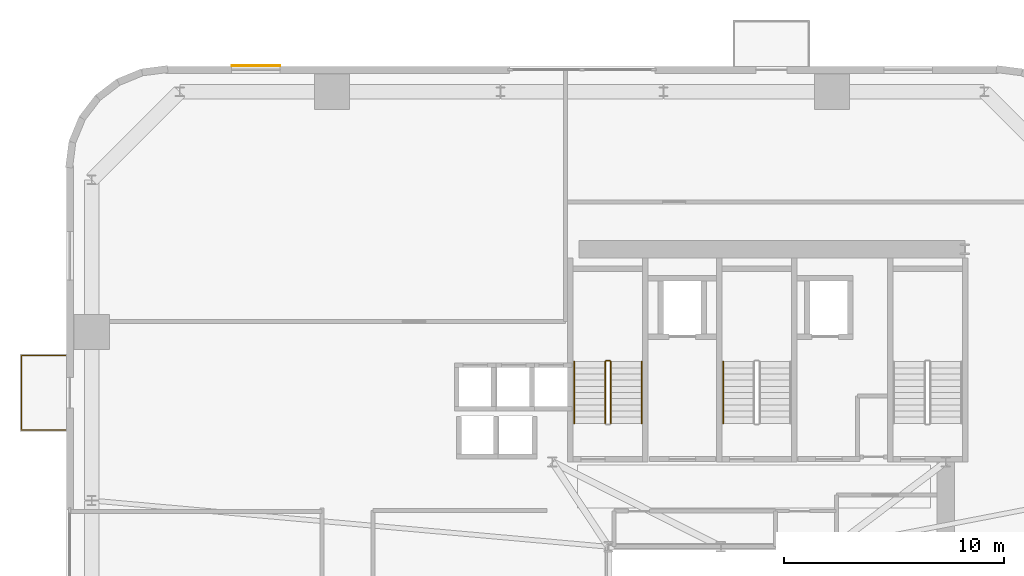
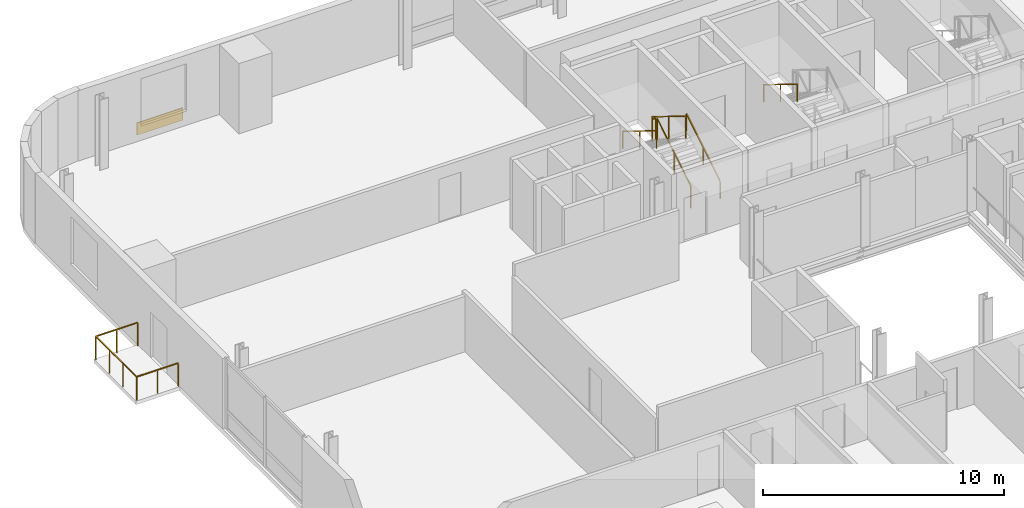
# One storey, part 13 of 14: 7 railings, 1 covering.
"""IFC4 building model written with IfcOpenShell, lengths in metres."""

from ifc_helpers import new_model, si_unit, direction, frame, origin, origin_2d, place, context, subcontext, project, spatial, rectangle, extrude, source, transform, mapped, material, layer, layer_set, type_object, element, save


model = new_model("IFC4")

# Units and contexts
model_context = context("Model", 3, precision=1e-05, world=origin(), true_north=direction((0.0, 1.0)))
body_context = subcontext(model_context, "Body", "Model", "MODEL_VIEW")
ifc_project = project(units=[si_unit("LENGTHUNIT", "METRE"), si_unit("AREAUNIT", "SQUARE_METRE"), si_unit("VOLUMEUNIT", "CUBIC_METRE"), si_unit("PLANEANGLEUNIT", "RADIAN"), si_unit("MASSUNIT", "GRAM", prefix="KILO")], contexts=[model_context])

# Site, building, storey
site_placement = place(None, origin())
site = spatial("IfcSite", under=ifc_project, at=site_placement, CompositionType="ELEMENT")
building_placement = place(site_placement, origin())
building = spatial("IfcBuilding", under=site, at=building_placement, Name="Vardaveli Station Tower", CompositionType="ELEMENT")
storey_placement = place(building_placement, frame((0.0, 0.0, 107.5)))
storey = spatial("IfcBuildingStorey", under=building, at=storey_placement, Name="L27", CompositionType="ELEMENT", Elevation=107.5)

# Covering
ifc_material_1 = material(Name="Ventilated honed travertine stone cladding", Category="masonry")
ifc_layer = layer(ifc_material_1, 0.044921875, Name="Ventilated honed travertine stone cladding")
ifc_layer_set = layer_set([ifc_layer], Name="Ventilated honed travertine stone cladding")
covering_type = type_object("IfcCoveringType", Name="COV-CLAD-TR45", PredefinedType="CLADDING", material=ifc_layer_set)
shared_shape_1 = source(origin(), body_context, "Body", "SweptSolid", [
    extrude(rectangle(XDim=2.199951171875, YDim=0.044921875, at=origin_2d()), origin(), (0.0, 0.0, 1.0), 0.6201171875),
])
covering_placement = place(storey_placement, frame((15.205078125, 48.614501953125, 0.06982421875), z_axis=(0.0, 0.0, 1.0), x_axis=(1.0, 0.0, 0.0)))
element("IfcCovering", 1, at=covering_placement, inside=storey, type_object=covering_type, Name="CLD-TR-L27-N", PredefinedType="CLADDING", context=body_context, shape_type="MappedRepresentation", body=[
    mapped(shared_shape_1, transform((0.0, 0.0, 0.0), scale=1.0)),
])

# Railings
ifc_material_2 = material(Name="Laminated glass and stainless steel balustrade", Category="steel")
railing_type_1 = type_object("IfcRailingType", Name="RL-BAL-1200", PredefinedType="BALUSTRADE", material=ifc_material_2)
shared_shape_2 = source(origin(), body_context, "Body", "SweptSolid", [
    extrude(rectangle(XDim=0.048095703125, YDim=0.048095703125, at=origin_2d()), frame((0.0, 0.0, 1.17578125), z_axis=(-1.0, 0.0, 0.0), x_axis=(0.0, -1.0, 0.0)), (0.0, 0.0, 1.0), 2.0),
    extrude(rectangle(XDim=0.048095703125, YDim=0.048095703125, at=origin_2d()), frame((-2.0, 0.0, 1.17578125), z_axis=(0.0, 1.0, 0.0), x_axis=(-1.0, 0.0, 0.0)), (0.0, 0.0, 1.0), 3.3798828125),
    extrude(rectangle(XDim=0.048095703125, YDim=0.048095703125, at=origin_2d()), frame((-2.0, 3.3798828125, 1.17578125), z_axis=(1.0, 0.0, 0.0), x_axis=(0.0, 1.0, 0.0)), (0.0, 0.0, 1.0), 2.0),
    extrude(rectangle(XDim=0.0419921875, YDim=0.0419921875, at=origin_2d()), origin(), (0.0, 0.0, 1.0), 1.15185546875),
    extrude(rectangle(XDim=0.0419921875, YDim=0.0419921875, at=origin_2d()), frame((-1.0, 0.0, 0.0)), (0.0, 0.0, 1.0), 1.15185546875),
    extrude(rectangle(XDim=0.0419921875, YDim=0.0419921875, at=origin_2d()), frame((-2.0, 0.0, 0.0)), (0.0, 0.0, 1.0), 1.15185546875),
    extrude(rectangle(XDim=0.0419921875, YDim=0.0419921875, at=origin_2d()), frame((-2.0, 1.126708984375, 0.0)), (0.0, 0.0, 1.0), 1.15185546875),
    extrude(rectangle(XDim=0.0419921875, YDim=0.0419921875, at=origin_2d()), frame((-2.0, 2.253173828125, 0.0)), (0.0, 0.0, 1.0), 1.15185546875),
    extrude(rectangle(XDim=0.0419921875, YDim=0.0419921875, at=origin_2d()), frame((-2.0, 3.3798828125, 0.0)), (0.0, 0.0, 1.0), 1.15185546875),
    extrude(rectangle(XDim=0.0419921875, YDim=0.0419921875, at=origin_2d()), frame((-1.0, 3.3798828125, 0.0)), (0.0, 0.0, 1.0), 1.15185546875),
    extrude(rectangle(XDim=0.0419921875, YDim=0.0419921875, at=origin_2d()), frame((0.0, 3.3798828125, 0.0)), (0.0, 0.0, 1.0), 1.15185546875),
])
railing_1_placement = place(storey_placement, frame((6.56005859375, 32.099609375, 0.0)))
element("IfcRailing", 2, at=railing_1_placement, inside=storey, type_object=railing_type_1, Name="RL-LOG-L27-03", PredefinedType="BALUSTRADE", context=body_context, shape_type="MappedRepresentation", body=[
    mapped(shared_shape_2, transform((0.0, 0.0, 0.0), scale=1.0)),
])
ifc_material_3 = material(Name="Brushed AISI 316 stainless steel", Category="steel")
railing_type_2 = type_object("IfcRailingType", Name="RL-GUARD-1150", PredefinedType="GUARDRAIL", material=ifc_material_3)
shared_shape_3 = source(origin(), body_context, "Body", "SweptSolid", [
    extrude(rectangle(XDim=0.048095703125, YDim=0.048095703125, at=origin_2d()), frame((0.0, 0.0, 1.1259765625), z_axis=(-1.0, 0.0, 0.0), x_axis=(0.0, -1.0, 0.0)), (0.0, 0.0, 1.0), 0.14990234375),
    extrude(rectangle(XDim=0.0419921875, YDim=0.0419921875, at=origin_2d()), origin(), (0.0, 0.0, 1.0), 1.101806640625),
    extrude(rectangle(XDim=0.0419921875, YDim=0.0419921875, at=origin_2d()), frame((-0.14990234375, 0.0, 0.0)), (0.0, 0.0, 1.0), 1.101806640625),
])
railing_2_placement = place(storey_placement, frame((31.25, 35.25, 1.89990234375)))
element("IfcRailing", 3, at=railing_2_placement, inside=storey, type_object=railing_type_2, Name="L27 ST-1 stair guard 2", PredefinedType="GUARDRAIL", context=body_context, shape_type="MappedRepresentation", body=[
    mapped(shared_shape_3, transform((0.0, 0.0, 0.0), scale=1.0)),
])
shared_shape_4 = source(origin(), body_context, "Body", "SweptSolid", [
    extrude(rectangle(XDim=0.048095703125, YDim=0.048095703125, at=origin_2d()), frame((0.0, 0.0, 1.1259765625), z_axis=(0.0, 0.851089632645, 0.525020415988), x_axis=(-1.0, 0.0, 0.0)), (0.0, 0.0, 1.0), 3.2900390625),
    extrude(rectangle(XDim=0.0419921875, YDim=0.0419921875, at=origin_2d()), origin(), (0.0, 0.0, 1.0), 1.101806640625),
    extrude(rectangle(XDim=0.0419921875, YDim=0.0419921875, at=origin_2d()), frame((0.0, 1.39990234375, 0.86376953125)), (0.0, 0.0, 1.0), 1.101806640625),
    extrude(rectangle(XDim=0.0419921875, YDim=0.0419921875, at=origin_2d()), frame((0.0, 2.800048828125, 1.727294921875)), (0.0, 0.0, 1.0), 1.101806640625),
])
railing_3_placement = place(storey_placement, frame((31.300048828125, 32.39990234375, 0.172607421875)))
element("IfcRailing", 4, at=railing_3_placement, inside=storey, type_object=railing_type_2, Name="L27 ST-1 stair guard 1", PredefinedType="GUARDRAIL", context=body_context, shape_type="MappedRepresentation", body=[
    mapped(shared_shape_4, transform((0.0, 0.0, 0.0), scale=1.0)),
])
shared_shape_5 = source(origin(), body_context, "Body", "SweptSolid", [
    extrude(rectangle(XDim=0.048095703125, YDim=0.048095703125, at=origin_2d()), frame((0.0, 0.0, 1.1259765625), z_axis=(0.0, -0.851089632645, 0.525020415988), x_axis=(1.0, 0.0, 0.0)), (0.0, 0.0, 1.0), 3.2900390625),
    extrude(rectangle(XDim=0.0419921875, YDim=0.0419921875, at=origin_2d()), origin(), (0.0, 0.0, 1.0), 1.101806640625),
    extrude(rectangle(XDim=0.0419921875, YDim=0.0419921875, at=origin_2d()), frame((0.0, -1.39990234375, 0.86376953125)), (0.0, 0.0, 1.0), 1.101806640625),
    extrude(rectangle(XDim=0.0419921875, YDim=0.0419921875, at=origin_2d()), frame((0.0, -2.800048828125, 1.727294921875)), (0.0, 0.0, 1.0), 1.101806640625),
])
railing_4_placement = place(storey_placement, frame((31.050048828125, 35.199951171875, 2.07275390625)))
element("IfcRailing", 5, at=railing_4_placement, inside=storey, type_object=railing_type_2, Name="L27 ST-1 stair guard 3", PredefinedType="GUARDRAIL", context=body_context, shape_type="MappedRepresentation", body=[
    mapped(shared_shape_5, transform((0.0, 0.0, 0.0), scale=1.0)),
])
railing_type_3 = type_object("IfcRailingType", Name="RL-HAND-900", PredefinedType="HANDRAIL", material=ifc_material_3)
shared_shape_6 = source(origin(), body_context, "Body", "SweptSolid", [
    extrude(rectangle(XDim=0.048095703125, YDim=0.048095703125, at=origin_2d()), frame((0.0, 0.0, 0.8759765625), z_axis=(0.0, 0.851089632645, 0.525020415988), x_axis=(-1.0, 0.0, 0.0)), (0.0, 0.0, 1.0), 3.2900390625),
    extrude(rectangle(XDim=0.0419921875, YDim=0.0419921875, at=origin_2d()), origin(), (0.0, 0.0, 1.0), 0.851806640625),
    extrude(rectangle(XDim=0.0419921875, YDim=0.0419921875, at=origin_2d()), frame((0.0, 1.39990234375, 0.86376953125)), (0.0, 0.0, 1.0), 0.851806640625),
    extrude(rectangle(XDim=0.0419921875, YDim=0.0419921875, at=origin_2d()), frame((0.0, 2.800048828125, 1.727294921875)), (0.0, 0.0, 1.0), 0.851806640625),
])
railing_5_placement = place(storey_placement, frame((32.699951171875, 32.39990234375, 0.172607421875)))
element("IfcRailing", 6, at=railing_5_placement, inside=storey, type_object=railing_type_3, Name="L27 ST-1 stair handrail 1", PredefinedType="HANDRAIL", context=body_context, shape_type="MappedRepresentation", body=[
    mapped(shared_shape_6, transform((0.0, 0.0, 0.0), scale=1.0)),
])
shared_shape_7 = source(origin(), body_context, "Body", "SweptSolid", [
    extrude(rectangle(XDim=0.048095703125, YDim=0.048095703125, at=origin_2d()), frame((0.0, 0.0, 0.8759765625), z_axis=(0.0, -0.851089632645, 0.525020415988), x_axis=(1.0, 0.0, 0.0)), (0.0, 0.0, 1.0), 3.2900390625),
    extrude(rectangle(XDim=0.0419921875, YDim=0.0419921875, at=origin_2d()), origin(), (0.0, 0.0, 1.0), 0.851806640625),
    extrude(rectangle(XDim=0.0419921875, YDim=0.0419921875, at=origin_2d()), frame((0.0, -1.39990234375, 0.86376953125)), (0.0, 0.0, 1.0), 0.851806640625),
    extrude(rectangle(XDim=0.0419921875, YDim=0.0419921875, at=origin_2d()), frame((0.0, -2.800048828125, 1.727294921875)), (0.0, 0.0, 1.0), 0.851806640625),
])
for number, where, name in (
    (7, (29.64990234375, 35.199951171875, 2.07275390625), "L27 ST-1 stair handrail 2"),
    (8, (36.39990234375, 35.199951171875, 2.07275390625), "L27 ST-2 stair handrail 2"),
):
    element("IfcRailing", number, at=place(storey_placement, frame(where)), inside=storey, type_object=railing_type_3, Name=name, PredefinedType="HANDRAIL", context=body_context, shape_type="MappedRepresentation", body=[
        mapped(shared_shape_7, transform((0.0, 0.0, 0.0), scale=1.0)),
    ])

save(model, "model.ifc")
